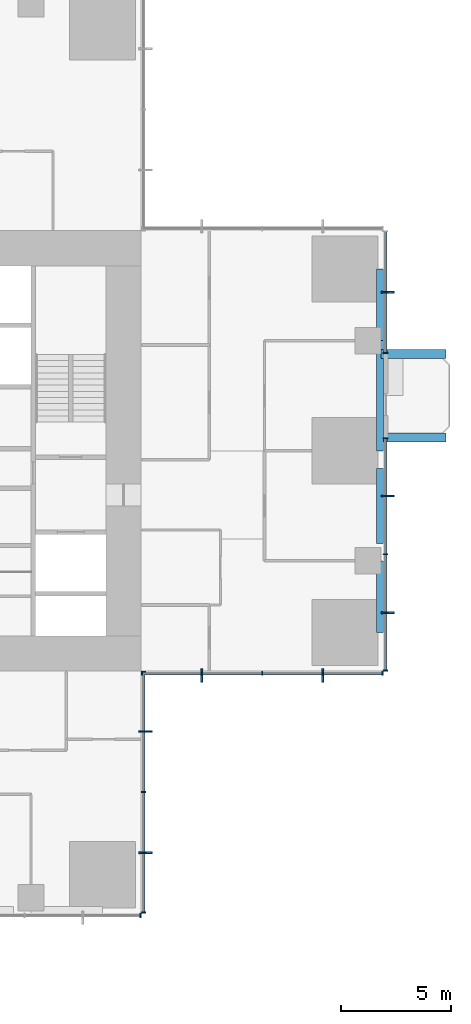
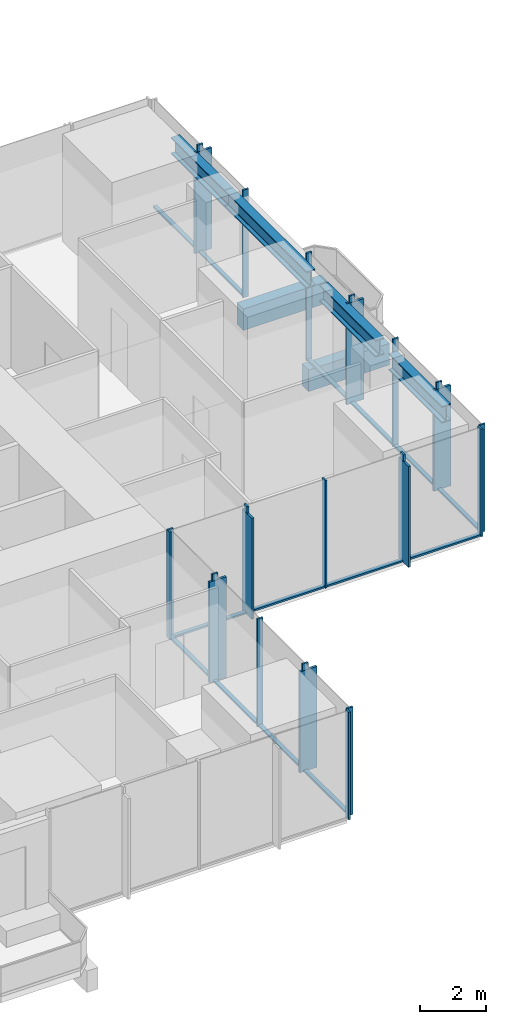
# One storey, part 4 of 13: 39 members, 6 beams, 5 elements without a shape of their own.
"""IFC4 building model written with IfcOpenShell, lengths in metres."""

import ifcopenshell
import ifcopenshell.guid

model = None  # the IFC model being written
_history = None  # IfcOwnerHistory: only IFC2X3 demands one
_inside = {}  # id of a spatial element -> (the spatial element, [elements in it])
_under = {}  # id of a project, library or spatial element -> (it, [spatial elements below it])
_declared = {}  # id of a project -> (the project, [libraries it declares])
_typed = {}  # id of a type object -> (the type object, [elements of that type])
_made_of = {}  # id of a material, layer set ... -> (it, [elements and type objects made of it])


def new_model(schema):
    """Start an empty IFC model of exactly this schema.

    Asked for "IFC4X3", IfcOpenShell would pick the latest addendum, in which some entities
    have other attributes; the version numbers below select the first issue.
    IFC2X3 requires an IfcOwnerHistory on every rooted entity: one is made here for all.
    """
    global model, _history
    if schema == "IFC4X3":
        model = ifcopenshell.file(schema_version=(4, 3, 0, 0))
    else:
        model = ifcopenshell.file(schema=schema)
    _inside.clear()
    _under.clear()
    _declared.clear()
    _typed.clear()
    _made_of.clear()
    _history = None
    if model.schema == "IFC2X3":
        org = make("IfcOrganization", Name="unknown")
        user = make(
            "IfcPersonAndOrganization",
            ThePerson=make("IfcPerson", FamilyName="unknown"),
            TheOrganization=org,
        )
        app = make(
            "IfcApplication",
            ApplicationDeveloper=org,
            Version="unknown",
            ApplicationFullName="unknown",
            ApplicationIdentifier="unknown",
        )
        _history = make(
            "IfcOwnerHistory",
            OwningUser=user,
            OwningApplication=app,
            ChangeAction="ADDED",
            CreationDate=0,
        )
    return model


def make(cls, **values):
    """One entity of the class cls with the attributes given. An attribute that is None is left unset."""
    return model.create_entity(
        cls, **{name: value for name, value in values.items() if value is not None}
    )


def rooted(cls, **values):
    """An entity with a GlobalId (a new one), such as an element, a storey or a relation."""
    return make(cls, GlobalId=ifcopenshell.guid.new(), OwnerHistory=_history, **values)


def si_unit(unit_type, name, prefix=None):
    """IfcSIUnit, for example si_unit("LENGTHUNIT", "METRE", prefix="MILLI")."""
    return make("IfcSIUnit", UnitType=unit_type, Prefix=prefix, Name=name)


def assignment(units):
    """IfcUnitAssignment: the units of a project."""
    return None if units is None else make("IfcUnitAssignment", Units=units)


def point(xyz):
    """IfcCartesianPoint."""
    return None if xyz is None else make("IfcCartesianPoint", Coordinates=xyz)


def direction(xyz):
    """IfcDirection."""
    return None if xyz is None else make("IfcDirection", DirectionRatios=xyz)


def frame(location, z_axis=None, x_axis=None):
    """IfcAxis2Placement3D, a coordinate frame: its origin and axes. An axis left out is left unset."""
    return make(
        "IfcAxis2Placement3D",
        Location=point(location),
        Axis=direction(z_axis),
        RefDirection=direction(x_axis),
    )


def frame_2d(location, x_axis=None):
    """IfcAxis2Placement2D, a coordinate frame in the plane: its origin and x axis."""
    return make(
        "IfcAxis2Placement2D", Location=point(location), RefDirection=direction(x_axis)
    )


def origin():
    """The frame at (0, 0, 0) with its axes left unset."""
    return frame((0.0, 0.0, 0.0))


def origin_2d():
    """The frame at (0, 0) in the plane with its x axis left unset."""
    return frame_2d((0.0, 0.0))


def place(relative_to, where):
    """IfcLocalPlacement: puts the frame where relative to a parent placement (None: the world)."""
    return make(
        "IfcLocalPlacement", PlacementRelTo=relative_to, RelativePlacement=where
    )


def context(
    kind, dimensions, precision=None, world=None, true_north=None, identifier=None
):
    """IfcGeometricRepresentationContext, for example the 3D "Model" context."""
    return make(
        "IfcGeometricRepresentationContext",
        ContextIdentifier=identifier,
        ContextType=kind,
        CoordinateSpaceDimension=dimensions,
        Precision=precision,
        WorldCoordinateSystem=world,
        TrueNorth=true_north,
    )


def subcontext(parent, identifier, kind, view, scale=None):
    """IfcGeometricRepresentationSubContext, for example "Body" below "Model"."""
    return make(
        "IfcGeometricRepresentationSubContext",
        ContextIdentifier=identifier,
        ContextType=kind,
        ParentContext=parent,
        TargetScale=scale,
        TargetView=view,
    )


def project(units=None, contexts=None):
    """IfcProject with its units and contexts."""
    return rooted(
        "IfcProject",
        Name="project",
        RepresentationContexts=contexts,
        UnitsInContext=assignment(units),
    )


def spatial(cls, under=None, at=None, **own):
    """A site, building, storey or space (cls), placed at a placement, below another one or the project."""
    s = rooted(cls, ObjectPlacement=at, **own)
    if under is not None:
        _under.setdefault(under.id(), (under, []))[1].append(s)
    return s


def profile(cls, at=None, kind="AREA", **sizes):
    """A parametric profile (cls). Its sizes go by their IFC names, for example OverallWidth=200.0."""
    return make(cls, ProfileType=kind, Position=at, **sizes)


def rectangle(**sizes):
    """IfcRectangleProfileDef."""
    return profile("IfcRectangleProfileDef", **sizes)


def i_section(**sizes):
    """IfcIShapeProfileDef."""
    return profile("IfcIShapeProfileDef", **sizes)


def extrude(swept, where, along, depth):
    """IfcExtrudedAreaSolid: the profile swept, set in the frame where, extruded along a direction by depth."""
    return make(
        "IfcExtrudedAreaSolid",
        SweptArea=swept,
        Position=where,
        ExtrudedDirection=direction(along),
        Depth=depth,
    )


def shape(context_of_items, identifier, shape_type, items):
    """IfcShapeRepresentation: the items that make up one representation, for example the "Body"."""
    return make(
        "IfcShapeRepresentation",
        ContextOfItems=context_of_items,
        RepresentationIdentifier=identifier,
        RepresentationType=shape_type,
        Items=items,
    )


def material(Name=None, Category=None):
    """IfcMaterial."""
    return make("IfcMaterial", Name=Name, Category=Category)


def material_profile(
    of_material, cross_section, Name=None, Category=None, Priority=None
):
    """IfcMaterialProfile: a cross section and its material."""
    return make(
        "IfcMaterialProfile",
        Name=Name,
        Material=of_material,
        Profile=cross_section,
        Priority=Priority,
        Category=Category,
    )


def profile_set(profiles, Name=None, composite=None):
    """IfcMaterialProfileSet."""
    return make(
        "IfcMaterialProfileSet",
        Name=Name,
        MaterialProfiles=profiles,
        CompositeProfile=composite,
    )


def made_of(thing, what):
    """Note that an element or type object is made of a material, layer set ...; save() writes the relation."""
    if what is not None:
        _made_of.setdefault(what.id(), (what, []))[1].append(thing)
    return thing


def type_object(cls, material=None, **own):
    """A type object (cls), such as IfcWallType, which elements share."""
    return made_of(rooted(cls, **own), material)


def element(
    cls,
    number,
    at=None,
    inside=None,
    cuts=None,
    type_object=None,
    material=None,
    context=None,
    identifier="Body",
    shape_type=None,
    held_by="IfcProductDefinitionShape",
    body=None,
    shapes=None,
    **own,
):
    """One element of the class cls, such as IfcWall. Its Tag is "e" and its number.

    at: its placement. inside: the storey or other place that contains it. cuts: it is an
    opening in that element (IfcRelVoidsElement). A single representation is given by context,
    identifier, shape_type and body (its items); several are given by shapes. held_by: the class
    of the entity that holds the representations. save() writes the other relations.
    """
    e = rooted(cls, Tag="e%d" % number, ObjectPlacement=at, **own)
    if body is not None:
        shapes = [shape(context, identifier, shape_type, body)]
    if shapes is not None:
        e.Representation = make(held_by, Representations=shapes)
    if inside is not None:
        _inside.setdefault(inside.id(), (inside, []))[1].append(e)
    if cuts is not None:
        rooted(
            "IfcRelVoidsElement", RelatingBuildingElement=cuts, RelatedOpeningElement=e
        )
    if type_object is not None:
        _typed.setdefault(type_object.id(), (type_object, []))[1].append(e)
    return made_of(e, material)


def aggregate(whole, parts):
    """IfcRelAggregates: a whole, such as a stair, and the parts it consists of."""
    return rooted("IfcRelAggregates", RelatingObject=whole, RelatedObjects=parts)


def save(model, path):
    """Write the relations noted so far, then the file.

    IfcRelAggregates (storeys below a building ...), IfcRelContainedInSpatialStructure (elements
    in a storey), IfcRelDefinesByType, IfcRelAssociatesMaterial and IfcRelDeclares: one each for
    every whole, place, type object, material and project.
    """
    for whole, parts in _under.values():
        aggregate(whole, parts)
    for where, things in _inside.values():
        rooted(
            "IfcRelContainedInSpatialStructure",
            RelatedElements=things,
            RelatingStructure=where,
        )
    for kind, things in _typed.values():
        rooted("IfcRelDefinesByType", RelatedObjects=things, RelatingType=kind)
    for what, things in _made_of.values():
        rooted("IfcRelAssociatesMaterial", RelatedObjects=things, RelatingMaterial=what)
    for by, libraries in _declared.values():
        rooted("IfcRelDeclares", RelatingContext=by, RelatedDefinitions=libraries)
    model.write(path)


model = new_model("IFC4")

# Units and contexts
model_context = context("Model", 3, precision=1e-05, world=origin(), true_north=direction((0.0, 1.0)))
body_context = subcontext(model_context, "Body", "Model", "MODEL_VIEW")
ifc_project = project(units=[si_unit("LENGTHUNIT", "METRE"), si_unit("AREAUNIT", "SQUARE_METRE"), si_unit("VOLUMEUNIT", "CUBIC_METRE"), si_unit("PLANEANGLEUNIT", "RADIAN"), si_unit("MASSUNIT", "GRAM", prefix="KILO")], contexts=[model_context])

# Site, building, storey
site_placement = place(None, origin())
site = spatial("IfcSite", under=ifc_project, at=site_placement, CompositionType="ELEMENT")
building_placement = place(site_placement, origin())
building = spatial("IfcBuilding", under=site, at=building_placement, Name="Svetlomir Tower", CompositionType="ELEMENT")
storey_placement = place(building_placement, frame((0.0, 0.0, 100.5)))
storey = spatial("IfcBuildingStorey", under=building, at=storey_placement, Name="L23", CompositionType="ELEMENT", Elevation=100.5)

# Beams
ifc_material_1 = material(Name="Concrete C60/75", Category="concrete")
ifc_material_profile_1 = material_profile(ifc_material_1, rectangle(XDim=0.39990234375, YDim=0.800048828125, at=origin_2d()), Name="RC 400x800")
ifc_profile_set_1 = profile_set([ifc_material_profile_1], Name="Concrete C60/75")
beam_type_1 = type_object("IfcBeamType", Name="BALCONY RIB RC 400x800", PredefinedType="BEAM", material=ifc_profile_set_1)
beam_1_placement = place(storey_placement, frame((42.0, 21.60009765625, -0.64990234375), z_axis=(1.0, 0.0, 0.0), x_axis=(0.0, 1.0, 0.0)))
element("IfcBeam", 1, at=beam_1_placement, inside=storey, type_object=beam_type_1, Name="Balcony rib E 1 L23", PredefinedType="BEAM", context=body_context, shape_type="SweptSolid", body=[
    extrude(rectangle(XDim=0.39990234375, YDim=0.800048828125, at=origin_2d()), origin(), (0.0, 0.0, 1.0), 2.85009765625),
])
beam_2_placement = place(storey_placement, frame((41.89990234375, 25.39990234375, -0.64990234375), z_axis=(1.0, 0.0, 0.0), x_axis=(0.0, 1.0, 0.0)))
element("IfcBeam", 2, at=beam_2_placement, inside=storey, type_object=beam_type_1, Name="Balcony rib E 2 L23", PredefinedType="BEAM", context=body_context, shape_type="SweptSolid", body=[
    extrude(rectangle(XDim=0.39990234375, YDim=0.800048828125, at=origin_2d()), origin(), (0.0, 0.0, 1.0), 2.9501953125),
])

# Curtain wall, members
ifc_material_2 = material(Name="Bronze anodised aluminium curtain wall", Category="aluminium")
curtain_wall_type = type_object("IfcCurtainWallType", Name="CURTAIN WALL CW1 TOWER OFFICE", PredefinedType="NOTDEFINED", material=ifc_material_2)
curtain_wall_1_placement = place(storey_placement, origin())
curtain_wall_1 = element("IfcCurtainWall", 3, at=curtain_wall_1_placement, inside=storey, type_object=curtain_wall_type, Name="Curtain wall CW1 L23", PredefinedType="NOTDEFINED")
ifc_material_3 = material(Name="Bronze anodised aluminium", Category="aluminium")
ifc_material_profile_2 = material_profile(ifc_material_3, rectangle(XDim=0.080078125, YDim=0.60009765625, at=origin_2d()), Name="FIN 80x600")
ifc_profile_set_2 = profile_set([ifc_material_profile_2], Name="Bronze anodised aluminium 6063-T6")
member_type_1 = type_object("IfcMemberType", Name="BRONZE FIN 80x600", PredefinedType="USERDEFINED", material=ifc_profile_set_2)
member_1_placement = place(storey_placement, frame((31.199951171875, 2.75, 0.0), z_axis=(0.0, 0.0, 1.0), x_axis=(0.0, 1.0, 0.0)))
member_1 = element("IfcMember", 4, at=member_1_placement, type_object=member_type_1, Name="Bronze fin L23", ObjectType="FIN", PredefinedType="USERDEFINED", context=body_context, shape_type="SweptSolid", body=[
    extrude(rectangle(XDim=0.080078125, YDim=0.60009765625, at=origin_2d()), origin(), (0.0, 0.0, 1.0), 3.75),
])
member_2_placement = place(storey_placement, frame((31.199951171875, 8.25, 0.0), z_axis=(0.0, 0.0, 1.0), x_axis=(0.0, 1.0, 0.0)))
member_2 = element("IfcMember", 5, at=member_2_placement, type_object=member_type_1, Name="Bronze fin L23", ObjectType="FIN", PredefinedType="USERDEFINED", context=body_context, shape_type="SweptSolid", body=[
    extrude(rectangle(XDim=0.080078125, YDim=0.60009765625, at=origin_2d()), origin(), (0.0, 0.0, 1.0), 3.75),
])

curtain_wall_2_placement = place(storey_placement, origin())
curtain_wall_2 = element("IfcCurtainWall", 6, at=curtain_wall_2_placement, inside=storey, type_object=curtain_wall_type, Name="Curtain wall CW1 L23", PredefinedType="NOTDEFINED")
member_3_placement = place(storey_placement, frame((33.75, 10.800048828125, 0.0), z_axis=(0.0, 0.0, 1.0), x_axis=(1.0, 0.0, 0.0)))
member_3 = element("IfcMember", 7, at=member_3_placement, type_object=member_type_1, Name="Bronze fin L23", ObjectType="FIN", PredefinedType="USERDEFINED", context=body_context, shape_type="SweptSolid", body=[
    extrude(rectangle(XDim=0.080078125, YDim=0.60009765625, at=origin_2d()), origin(), (0.0, 0.0, 1.0), 3.75),
])
member_4_placement = place(storey_placement, frame((39.25, 10.800048828125, 0.0), z_axis=(0.0, 0.0, 1.0), x_axis=(1.0, 0.0, 0.0)))
member_4 = element("IfcMember", 8, at=member_4_placement, type_object=member_type_1, Name="Bronze fin L23", ObjectType="FIN", PredefinedType="USERDEFINED", context=body_context, shape_type="SweptSolid", body=[
    extrude(rectangle(XDim=0.080078125, YDim=0.60009765625, at=origin_2d()), origin(), (0.0, 0.0, 1.0), 3.75),
])

curtain_wall_3_placement = place(storey_placement, origin())
curtain_wall_3 = element("IfcCurtainWall", 9, at=curtain_wall_3_placement, inside=storey, type_object=curtain_wall_type, Name="Curtain wall CW1 L23", PredefinedType="NOTDEFINED")
member_5_placement = place(storey_placement, frame((42.199951171875, 13.64990234375, 0.0), z_axis=(0.0, 0.0, 1.0), x_axis=(0.0, 1.0, 0.0)))
member_5 = element("IfcMember", 10, at=member_5_placement, type_object=member_type_1, Name="Bronze fin L23", ObjectType="FIN", PredefinedType="USERDEFINED", context=body_context, shape_type="SweptSolid", body=[
    extrude(rectangle(XDim=0.080078125, YDim=0.60009765625, at=origin_2d()), origin(), (0.0, 0.0, 1.0), 3.75),
])
member_6_placement = place(storey_placement, frame((42.199951171875, 18.949951171875, 0.0), z_axis=(0.0, 0.0, 1.0), x_axis=(0.0, 1.0, 0.0)))
member_6 = element("IfcMember", 11, at=member_6_placement, type_object=member_type_1, Name="Bronze fin L23", ObjectType="FIN", PredefinedType="USERDEFINED", context=body_context, shape_type="SweptSolid", body=[
    extrude(rectangle(XDim=0.080078125, YDim=0.60009765625, at=origin_2d()), origin(), (0.0, 0.0, 1.0), 3.75),
])

# Curtain wall, member
curtain_wall_4_placement = place(storey_placement, origin())
curtain_wall_4 = element("IfcCurtainWall", 12, at=curtain_wall_4_placement, inside=storey, type_object=curtain_wall_type, Name="Curtain wall CW1 L23", PredefinedType="NOTDEFINED")
member_7_placement = place(storey_placement, frame((42.199951171875, 28.199951171875, 0.0), z_axis=(0.0, 0.0, 1.0), x_axis=(0.0, 1.0, 0.0)))
member_7 = element("IfcMember", 13, at=member_7_placement, type_object=member_type_1, Name="Bronze fin L23", ObjectType="FIN", PredefinedType="USERDEFINED", context=body_context, shape_type="SweptSolid", body=[
    extrude(rectangle(XDim=0.080078125, YDim=0.60009765625, at=origin_2d()), origin(), (0.0, 0.0, 1.0), 3.75),
])

curtain_wall_5_placement = place(storey_placement, origin())
curtain_wall_5 = element("IfcCurtainWall", 14, at=curtain_wall_5_placement, inside=storey, type_object=curtain_wall_type, Name="Curtain wall CW1 L23", PredefinedType="NOTDEFINED")
ifc_material_4 = material(Name="Bronze anodised aluminium", Category="aluminium")
ifc_material_profile_3 = material_profile(ifc_material_4, rectangle(XDim=0.06494140625, YDim=0.199951171875, at=origin_2d()), Name="AL 65x200")
ifc_profile_set_3 = profile_set([ifc_material_profile_3], Name="Bronze anodised aluminium 6063-T6")
member_type_2 = type_object("IfcMemberType", Name="CW1 MULLION 65x200", PredefinedType="MULLION", material=ifc_profile_set_3)
member_8_placement = place(storey_placement, frame((30.967529296875, -0.10009765625, 0.0), z_axis=(0.0, 0.0, 1.0), x_axis=(1.0, 0.0, 0.0)))
member_8 = element("IfcMember", 15, at=member_8_placement, type_object=member_type_2, Name="CW1 mullion 5", PredefinedType="MULLION", context=body_context, shape_type="SweptSolid", body=[
    extrude(rectangle(XDim=0.06494140625, YDim=0.199951171875, at=origin_2d()), origin(), (0.0, 0.0, 1.0), 4.0),
])
aggregate(curtain_wall_5, [member_8])

# Member
member_9_placement = place(storey_placement, frame((31.10009765625, 0.032470703125, 0.0), z_axis=(0.0, 0.0, 1.0), x_axis=(0.0, 1.0, 0.0)))
member_9 = element("IfcMember", 16, at=member_9_placement, type_object=member_type_2, Name="CW1 mullion 1", PredefinedType="MULLION", context=body_context, shape_type="SweptSolid", body=[
    extrude(rectangle(XDim=0.06494140625, YDim=0.199951171875, at=origin_2d()), origin(), (0.0, 0.0, 1.0), 4.0),
])

member_10_placement = place(storey_placement, frame((31.10009765625, 2.75, 0.0), z_axis=(0.0, 0.0, 1.0), x_axis=(0.0, 1.0, 0.0)))
member_10 = element("IfcMember", 17, at=member_10_placement, type_object=member_type_2, Name="CW1 mullion 2", PredefinedType="MULLION", context=body_context, shape_type="SweptSolid", body=[
    extrude(rectangle(XDim=0.06494140625, YDim=0.199951171875, at=origin_2d()), origin(), (0.0, 0.0, 1.0), 4.0),
])

member_11_placement = place(storey_placement, frame((31.10009765625, 5.5, 0.0), z_axis=(0.0, 0.0, 1.0), x_axis=(0.0, 1.0, 0.0)))
member_11 = element("IfcMember", 18, at=member_11_placement, type_object=member_type_2, Name="CW1 mullion 3", PredefinedType="MULLION", context=body_context, shape_type="SweptSolid", body=[
    extrude(rectangle(XDim=0.06494140625, YDim=0.199951171875, at=origin_2d()), origin(), (0.0, 0.0, 1.0), 4.0),
])

member_12_placement = place(storey_placement, frame((31.10009765625, 8.25, 0.0), z_axis=(0.0, 0.0, 1.0), x_axis=(0.0, 1.0, 0.0)))
member_12 = element("IfcMember", 19, at=member_12_placement, type_object=member_type_2, Name="CW1 mullion 4", PredefinedType="MULLION", context=body_context, shape_type="SweptSolid", body=[
    extrude(rectangle(XDim=0.06494140625, YDim=0.199951171875, at=origin_2d()), origin(), (0.0, 0.0, 1.0), 4.0),
])

member_13_placement = place(storey_placement, frame((31.10009765625, 10.967529296875, 0.0), z_axis=(0.0, 0.0, 1.0), x_axis=(0.0, 1.0, 0.0)))
member_13 = element("IfcMember", 20, at=member_13_placement, type_object=member_type_2, Name="CW1 mullion 5", PredefinedType="MULLION", context=body_context, shape_type="SweptSolid", body=[
    extrude(rectangle(XDim=0.06494140625, YDim=0.199951171875, at=origin_2d()), origin(), (0.0, 0.0, 1.0), 4.0),
])

member_14_placement = place(storey_placement, frame((31.032470703125, 10.89990234375, 0.0), z_axis=(0.0, 0.0, 1.0), x_axis=(1.0, 0.0, 0.0)))
member_14 = element("IfcMember", 21, at=member_14_placement, type_object=member_type_2, Name="CW1 mullion 1", PredefinedType="MULLION", context=body_context, shape_type="SweptSolid", body=[
    extrude(rectangle(XDim=0.06494140625, YDim=0.199951171875, at=origin_2d()), origin(), (0.0, 0.0, 1.0), 4.0),
])

member_15_placement = place(storey_placement, frame((33.75, 10.89990234375, 0.0), z_axis=(0.0, 0.0, 1.0), x_axis=(1.0, 0.0, 0.0)))
member_15 = element("IfcMember", 22, at=member_15_placement, type_object=member_type_2, Name="CW1 mullion 2", PredefinedType="MULLION", context=body_context, shape_type="SweptSolid", body=[
    extrude(rectangle(XDim=0.06494140625, YDim=0.199951171875, at=origin_2d()), origin(), (0.0, 0.0, 1.0), 4.0),
])

member_16_placement = place(storey_placement, frame((36.5, 10.89990234375, 0.0), z_axis=(0.0, 0.0, 1.0), x_axis=(1.0, 0.0, 0.0)))
member_16 = element("IfcMember", 23, at=member_16_placement, type_object=member_type_2, Name="CW1 mullion 3", PredefinedType="MULLION", context=body_context, shape_type="SweptSolid", body=[
    extrude(rectangle(XDim=0.06494140625, YDim=0.199951171875, at=origin_2d()), origin(), (0.0, 0.0, 1.0), 4.0),
])

member_17_placement = place(storey_placement, frame((39.25, 10.89990234375, 0.0), z_axis=(0.0, 0.0, 1.0), x_axis=(1.0, 0.0, 0.0)))
member_17 = element("IfcMember", 24, at=member_17_placement, type_object=member_type_2, Name="CW1 mullion 4", PredefinedType="MULLION", context=body_context, shape_type="SweptSolid", body=[
    extrude(rectangle(XDim=0.06494140625, YDim=0.199951171875, at=origin_2d()), origin(), (0.0, 0.0, 1.0), 4.0),
])

member_18_placement = place(storey_placement, frame((41.967529296875, 10.89990234375, 0.0), z_axis=(0.0, 0.0, 1.0), x_axis=(1.0, 0.0, 0.0)))
member_18 = element("IfcMember", 25, at=member_18_placement, type_object=member_type_2, Name="CW1 mullion 5", PredefinedType="MULLION", context=body_context, shape_type="SweptSolid", body=[
    extrude(rectangle(XDim=0.06494140625, YDim=0.199951171875, at=origin_2d()), origin(), (0.0, 0.0, 1.0), 4.0),
])

member_19_placement = place(storey_placement, frame((42.10009765625, 11.032470703125, 0.0), z_axis=(0.0, 0.0, 1.0), x_axis=(0.0, 1.0, 0.0)))
member_19 = element("IfcMember", 26, at=member_19_placement, type_object=member_type_2, Name="CW1 mullion 1", PredefinedType="MULLION", context=body_context, shape_type="SweptSolid", body=[
    extrude(rectangle(XDim=0.06494140625, YDim=0.199951171875, at=origin_2d()), origin(), (0.0, 0.0, 1.0), 4.0),
])

member_20_placement = place(storey_placement, frame((42.10009765625, 13.64990234375, 0.0), z_axis=(0.0, 0.0, 1.0), x_axis=(0.0, 1.0, 0.0)))
member_20 = element("IfcMember", 27, at=member_20_placement, type_object=member_type_2, Name="CW1 mullion 2", PredefinedType="MULLION", context=body_context, shape_type="SweptSolid", body=[
    extrude(rectangle(XDim=0.06494140625, YDim=0.199951171875, at=origin_2d()), origin(), (0.0, 0.0, 1.0), 4.0),
])

member_21_placement = place(storey_placement, frame((42.10009765625, 16.300048828125, 0.0), z_axis=(0.0, 0.0, 1.0), x_axis=(0.0, 1.0, 0.0)))
member_21 = element("IfcMember", 28, at=member_21_placement, type_object=member_type_2, Name="CW1 mullion 3", PredefinedType="MULLION", context=body_context, shape_type="SweptSolid", body=[
    extrude(rectangle(XDim=0.06494140625, YDim=0.199951171875, at=origin_2d()), origin(), (0.0, 0.0, 1.0), 4.0),
])

member_22_placement = place(storey_placement, frame((42.10009765625, 18.949951171875, 0.0), z_axis=(0.0, 0.0, 1.0), x_axis=(0.0, 1.0, 0.0)))
member_22 = element("IfcMember", 29, at=member_22_placement, type_object=member_type_2, Name="CW1 mullion 4", PredefinedType="MULLION", context=body_context, shape_type="SweptSolid", body=[
    extrude(rectangle(XDim=0.06494140625, YDim=0.199951171875, at=origin_2d()), origin(), (0.0, 0.0, 1.0), 4.0),
])

member_23_placement = place(storey_placement, frame((42.10009765625, 21.5673828125, 0.0), z_axis=(0.0, 0.0, 1.0), x_axis=(0.0, 1.0, 0.0)))
member_23 = element("IfcMember", 30, at=member_23_placement, type_object=member_type_2, Name="CW1 mullion 5", PredefinedType="MULLION", context=body_context, shape_type="SweptSolid", body=[
    extrude(rectangle(XDim=0.06494140625, YDim=0.199951171875, at=origin_2d()), origin(), (0.0, 0.0, 1.0), 4.0),
])

member_24_placement = place(storey_placement, frame((42.10009765625, 25.4326171875, 0.0), z_axis=(0.0, 0.0, 1.0), x_axis=(0.0, 1.0, 0.0)))
member_24 = element("IfcMember", 31, at=member_24_placement, type_object=member_type_2, Name="CW1 mullion 1", PredefinedType="MULLION", context=body_context, shape_type="SweptSolid", body=[
    extrude(rectangle(XDim=0.06494140625, YDim=0.199951171875, at=origin_2d()), origin(), (0.0, 0.0, 1.0), 4.0),
])

member_25_placement = place(storey_placement, frame((42.10009765625, 28.199951171875, 0.0), z_axis=(0.0, 0.0, 1.0), x_axis=(0.0, 1.0, 0.0)))
member_25 = element("IfcMember", 32, at=member_25_placement, type_object=member_type_2, Name="CW1 mullion 2", PredefinedType="MULLION", context=body_context, shape_type="SweptSolid", body=[
    extrude(rectangle(XDim=0.06494140625, YDim=0.199951171875, at=origin_2d()), origin(), (0.0, 0.0, 1.0), 4.0),
])

ifc_material_5 = material(Name="Bronze anodised aluminium", Category="aluminium")
ifc_material_profile_4 = material_profile(ifc_material_5, rectangle(XDim=0.139892578125, YDim=0.06494140625, at=origin_2d()), Name="AL 140x65")
ifc_profile_set_4 = profile_set([ifc_material_profile_4], Name="Bronze anodised aluminium 6063-T6")
member_type_3 = type_object("IfcMemberType", Name="CW1 TRANSOM 65x140", PredefinedType="USERDEFINED", material=ifc_profile_set_4)
member_26_placement = place(storey_placement, frame((31.10009765625, 0.06494140625, 0.032470703125), z_axis=(0.0, 1.0, 0.0), x_axis=(-1.0, 0.0, 0.0)))
member_26 = element("IfcMember", 33, at=member_26_placement, type_object=member_type_3, Name="CW1 transom 1.1", ObjectType="TRANSOM", PredefinedType="USERDEFINED", context=body_context, shape_type="SweptSolid", body=[
    extrude(rectangle(XDim=0.139892578125, YDim=0.06494140625, at=origin_2d()), origin(), (0.0, 0.0, 1.0), 2.652587890625),
])

member_27_placement = place(storey_placement, frame((31.10009765625, 2.782470703125, 0.032470703125), z_axis=(0.0, 1.0, 0.0), x_axis=(-1.0, 0.0, 0.0)))
member_27 = element("IfcMember", 34, at=member_27_placement, type_object=member_type_3, Name="CW1 transom 2.1", ObjectType="TRANSOM", PredefinedType="USERDEFINED", context=body_context, shape_type="SweptSolid", body=[
    extrude(rectangle(XDim=0.139892578125, YDim=0.06494140625, at=origin_2d()), origin(), (0.0, 0.0, 1.0), 2.68505859375),
])

member_28_placement = place(storey_placement, frame((31.10009765625, 5.532470703125, 0.032470703125), z_axis=(0.0, 1.0, 0.0), x_axis=(-1.0, 0.0, 0.0)))
member_28 = element("IfcMember", 35, at=member_28_placement, type_object=member_type_3, Name="CW1 transom 3.1", ObjectType="TRANSOM", PredefinedType="USERDEFINED", context=body_context, shape_type="SweptSolid", body=[
    extrude(rectangle(XDim=0.139892578125, YDim=0.06494140625, at=origin_2d()), origin(), (0.0, 0.0, 1.0), 2.68505859375),
])

member_29_placement = place(storey_placement, frame((31.10009765625, 8.282470703125, 0.032470703125), z_axis=(0.0, 1.0, 0.0), x_axis=(-1.0, 0.0, 0.0)))
member_29 = element("IfcMember", 36, at=member_29_placement, type_object=member_type_3, Name="CW1 transom 4.1", ObjectType="TRANSOM", PredefinedType="USERDEFINED", context=body_context, shape_type="SweptSolid", body=[
    extrude(rectangle(XDim=0.139892578125, YDim=0.06494140625, at=origin_2d()), origin(), (0.0, 0.0, 1.0), 2.652587890625),
])

aggregate(curtain_wall_1, [member_9, member_10, member_11, member_12, member_13, member_26, member_27, member_28, member_29, member_1, member_2])

member_30_placement = place(storey_placement, frame((31.06494140625, 10.89990234375, 0.032470703125), z_axis=(1.0, 0.0, 0.0), x_axis=(0.0, 1.0, 0.0)))
member_30 = element("IfcMember", 37, at=member_30_placement, type_object=member_type_3, Name="CW1 transom 1.1", ObjectType="TRANSOM", PredefinedType="USERDEFINED", context=body_context, shape_type="SweptSolid", body=[
    extrude(rectangle(XDim=0.139892578125, YDim=0.06494140625, at=origin_2d()), origin(), (0.0, 0.0, 1.0), 2.652587890625),
])

member_31_placement = place(storey_placement, frame((33.782470703125, 10.89990234375, 0.032470703125), z_axis=(1.0, 0.0, 0.0), x_axis=(0.0, 1.0, 0.0)))
member_31 = element("IfcMember", 38, at=member_31_placement, type_object=member_type_3, Name="CW1 transom 2.1", ObjectType="TRANSOM", PredefinedType="USERDEFINED", context=body_context, shape_type="SweptSolid", body=[
    extrude(rectangle(XDim=0.139892578125, YDim=0.06494140625, at=origin_2d()), origin(), (0.0, 0.0, 1.0), 2.68505859375),
])

member_32_placement = place(storey_placement, frame((36.532470703125, 10.89990234375, 0.032470703125), z_axis=(1.0, 0.0, 0.0), x_axis=(0.0, 1.0, 0.0)))
member_32 = element("IfcMember", 39, at=member_32_placement, type_object=member_type_3, Name="CW1 transom 3.1", ObjectType="TRANSOM", PredefinedType="USERDEFINED", context=body_context, shape_type="SweptSolid", body=[
    extrude(rectangle(XDim=0.139892578125, YDim=0.06494140625, at=origin_2d()), origin(), (0.0, 0.0, 1.0), 2.68505859375),
])

member_33_placement = place(storey_placement, frame((39.282470703125, 10.89990234375, 0.032470703125), z_axis=(1.0, 0.0, 0.0), x_axis=(0.0, 1.0, 0.0)))
member_33 = element("IfcMember", 40, at=member_33_placement, type_object=member_type_3, Name="CW1 transom 4.1", ObjectType="TRANSOM", PredefinedType="USERDEFINED", context=body_context, shape_type="SweptSolid", body=[
    extrude(rectangle(XDim=0.139892578125, YDim=0.06494140625, at=origin_2d()), origin(), (0.0, 0.0, 1.0), 2.652587890625),
])

aggregate(curtain_wall_2, [member_14, member_15, member_16, member_17, member_18, member_30, member_31, member_32, member_33, member_3, member_4])

member_34_placement = place(storey_placement, frame((42.10009765625, 11.06494140625, 0.032470703125), z_axis=(0.0, 1.0, 0.0), x_axis=(-1.0, 0.0, 0.0)))
member_34 = element("IfcMember", 41, at=member_34_placement, type_object=member_type_3, Name="CW1 transom 1.1", ObjectType="TRANSOM", PredefinedType="USERDEFINED", context=body_context, shape_type="SweptSolid", body=[
    extrude(rectangle(XDim=0.139892578125, YDim=0.06494140625, at=origin_2d()), origin(), (0.0, 0.0, 1.0), 2.552490234375),
])

member_35_placement = place(storey_placement, frame((42.10009765625, 13.6826171875, 0.032470703125), z_axis=(0.0, 1.0, 0.0), x_axis=(-1.0, 0.0, 0.0)))
member_35 = element("IfcMember", 42, at=member_35_placement, type_object=member_type_3, Name="CW1 transom 2.1", ObjectType="TRANSOM", PredefinedType="USERDEFINED", context=body_context, shape_type="SweptSolid", body=[
    extrude(rectangle(XDim=0.139892578125, YDim=0.06494140625, at=origin_2d()), origin(), (0.0, 0.0, 1.0), 2.5849609375),
])

member_36_placement = place(storey_placement, frame((42.10009765625, 16.33251953125, 0.032470703125), z_axis=(0.0, 1.0, 0.0), x_axis=(-1.0, 0.0, 0.0)))
member_36 = element("IfcMember", 43, at=member_36_placement, type_object=member_type_3, Name="CW1 transom 3.1", ObjectType="TRANSOM", PredefinedType="USERDEFINED", context=body_context, shape_type="SweptSolid", body=[
    extrude(rectangle(XDim=0.139892578125, YDim=0.06494140625, at=origin_2d()), origin(), (0.0, 0.0, 1.0), 2.5849609375),
])

member_37_placement = place(storey_placement, frame((42.10009765625, 18.982421875, 0.032470703125), z_axis=(0.0, 1.0, 0.0), x_axis=(-1.0, 0.0, 0.0)))
member_37 = element("IfcMember", 44, at=member_37_placement, type_object=member_type_3, Name="CW1 transom 4.1", ObjectType="TRANSOM", PredefinedType="USERDEFINED", context=body_context, shape_type="SweptSolid", body=[
    extrude(rectangle(XDim=0.139892578125, YDim=0.06494140625, at=origin_2d()), origin(), (0.0, 0.0, 1.0), 2.552490234375),
])

aggregate(curtain_wall_3, [member_19, member_20, member_21, member_22, member_23, member_34, member_35, member_36, member_37, member_5, member_6])

member_38_placement = place(storey_placement, frame((42.10009765625, 25.465087890625, 0.032470703125), z_axis=(0.0, 1.0, 0.0), x_axis=(-1.0, 0.0, 0.0)))
member_38 = element("IfcMember", 45, at=member_38_placement, type_object=member_type_3, Name="CW1 transom 1.1", ObjectType="TRANSOM", PredefinedType="USERDEFINED", context=body_context, shape_type="SweptSolid", body=[
    extrude(rectangle(XDim=0.139892578125, YDim=0.06494140625, at=origin_2d()), origin(), (0.0, 0.0, 1.0), 2.702392578125),
])

member_39_placement = place(storey_placement, frame((42.10009765625, 28.232421875, 0.032470703125), z_axis=(0.0, 1.0, 0.0), x_axis=(-1.0, 0.0, 0.0)))
member_39 = element("IfcMember", 46, at=member_39_placement, type_object=member_type_3, Name="CW1 transom 2.1", ObjectType="TRANSOM", PredefinedType="USERDEFINED", context=body_context, shape_type="SweptSolid", body=[
    extrude(rectangle(XDim=0.139892578125, YDim=0.06494140625, at=origin_2d()), origin(), (0.0, 0.0, 1.0), 2.70263671875),
])

aggregate(curtain_wall_4, [member_24, member_25, member_38, member_39, member_7])

# Beams
ifc_material_6 = material(Name="Steel S355", Category="steel")
ifc_material_profile_5 = material_profile(ifc_material_6, i_section(OverallWidth=0.304931640625, OverallDepth=0.6201171875, WebThickness=0.02099609375, FlangeThickness=0.0400390625, FilletRadius=0.027099609375, at=origin_2d()), Name="HEM 600")
ifc_profile_set_5 = profile_set([ifc_material_profile_5], Name="Steel S355")
beam_type_2 = type_object("IfcBeamType", Name="EDGE BEAM HEM 600", PredefinedType="SPANDREL", material=ifc_profile_set_5)
beam_3_placement = place(storey_placement, frame((41.847412109375, 12.75, 3.43994140625), z_axis=(0.0, 1.0, 0.0), x_axis=(-1.0, 0.0, 0.0)))
element("IfcBeam", 47, at=beam_3_placement, inside=storey, type_object=beam_type_2, Name="Edge beam 42/11 to 42/16 under L24", PredefinedType="SPANDREL", context=body_context, shape_type="SweptSolid", body=[
    extrude(i_section(OverallWidth=0.304931640625, OverallDepth=0.6201171875, WebThickness=0.02099609375, FlangeThickness=0.0400390625, FilletRadius=0.027099609375, at=origin_2d()), origin(), (0.0, 0.0, 1.0), 3.25),
])
beam_4_placement = place(storey_placement, frame((41.847412109375, 16.800048828125, 3.43994140625), z_axis=(0.0, 1.0, 0.0), x_axis=(-1.0, 0.0, 0.0)))
element("IfcBeam", 48, at=beam_4_placement, inside=storey, type_object=beam_type_2, Name="Edge beam 42/16 to 42/21 under L24", PredefinedType="SPANDREL", context=body_context, shape_type="SweptSolid", body=[
    extrude(i_section(OverallWidth=0.304931640625, OverallDepth=0.6201171875, WebThickness=0.02099609375, FlangeThickness=0.0400390625, FilletRadius=0.027099609375, at=origin_2d()), origin(), (0.0, 0.0, 1.0), 3.39990234375),
])
beam_5_placement = place(storey_placement, frame((41.847412109375, 21.0, 3.43994140625), z_axis=(0.0, 1.0, 0.0), x_axis=(-1.0, 0.0, 0.0)))
element("IfcBeam", 49, at=beam_5_placement, inside=storey, type_object=beam_type_2, Name="Edge beam 42/21 to 42/26 under L24", PredefinedType="SPANDREL", context=body_context, shape_type="SweptSolid", body=[
    extrude(i_section(OverallWidth=0.304931640625, OverallDepth=0.6201171875, WebThickness=0.02099609375, FlangeThickness=0.0400390625, FilletRadius=0.027099609375, at=origin_2d()), origin(), (0.0, 0.0, 1.0), 5.0),
])
beam_6_placement = place(storey_placement, frame((41.847412109375, 26.0, 3.43994140625), z_axis=(0.0, 1.0, 0.0), x_axis=(-1.0, 0.0, 0.0)))
element("IfcBeam", 50, at=beam_6_placement, inside=storey, type_object=beam_type_2, Name="Edge beam 42/26 to 42/31 under L24", PredefinedType="SPANDREL", context=body_context, shape_type="SweptSolid", body=[
    extrude(i_section(OverallWidth=0.304931640625, OverallDepth=0.6201171875, WebThickness=0.02099609375, FlangeThickness=0.0400390625, FilletRadius=0.027099609375, at=origin_2d()), origin(), (0.0, 0.0, 1.0), 3.25),
])

save(model, "model.ifc")
